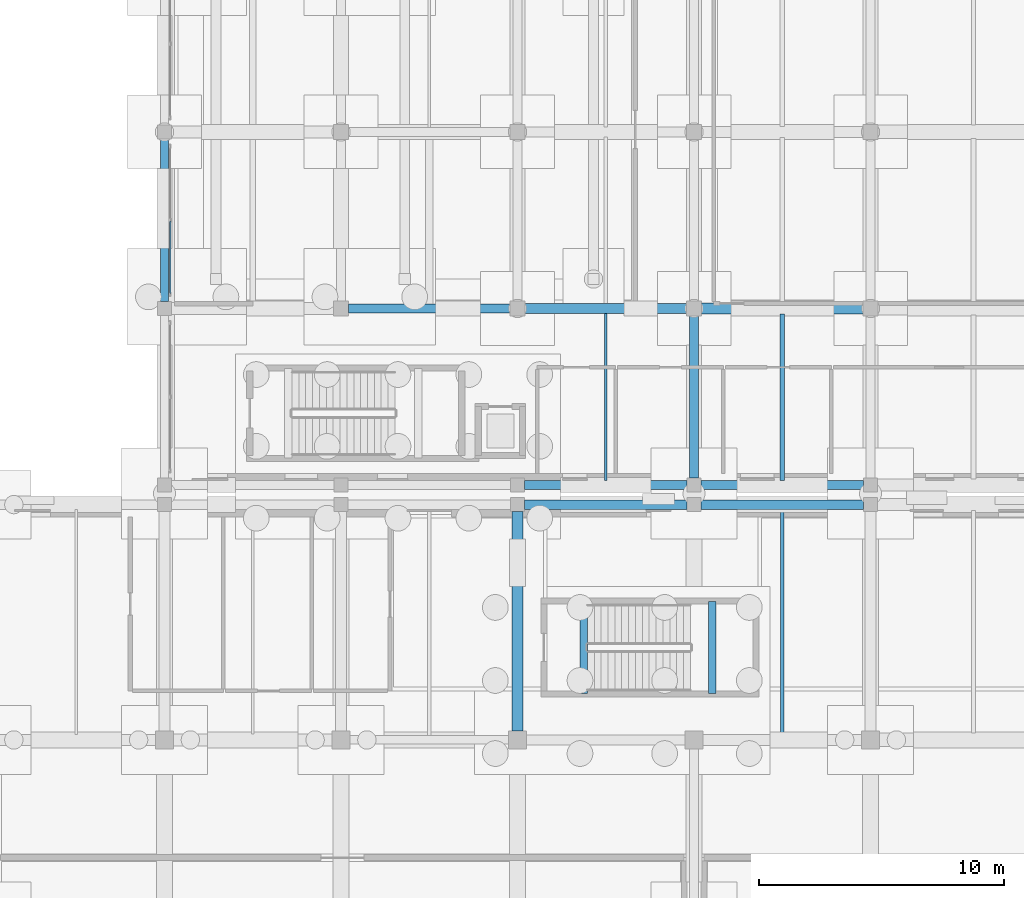
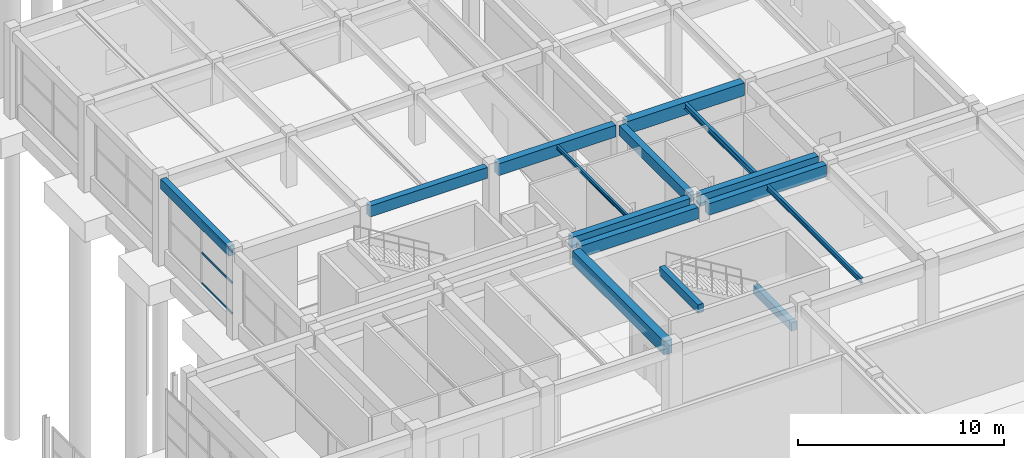
# One storey, part 49 of 91: 15 beams, 3 members, 1 element without a shape of its own.
"""IFC4 building model written with IfcOpenShell, lengths in metres."""

import ifcopenshell
import ifcopenshell.guid

model = None  # the IFC model being written
_history = None  # IfcOwnerHistory: only IFC2X3 demands one
_inside = {}  # id of a spatial element -> (the spatial element, [elements in it])
_under = {}  # id of a project, library or spatial element -> (it, [spatial elements below it])
_declared = {}  # id of a project -> (the project, [libraries it declares])
_typed = {}  # id of a type object -> (the type object, [elements of that type])
_made_of = {}  # id of a material, layer set ... -> (it, [elements and type objects made of it])


def new_model(schema):
    """Start an empty IFC model of exactly this schema.

    Asked for "IFC4X3", IfcOpenShell would pick the latest addendum, in which some entities
    have other attributes; the version numbers below select the first issue.
    IFC2X3 requires an IfcOwnerHistory on every rooted entity: one is made here for all.
    """
    global model, _history
    if schema == "IFC4X3":
        model = ifcopenshell.file(schema_version=(4, 3, 0, 0))
    else:
        model = ifcopenshell.file(schema=schema)
    _inside.clear()
    _under.clear()
    _declared.clear()
    _typed.clear()
    _made_of.clear()
    _history = None
    if model.schema == "IFC2X3":
        org = make("IfcOrganization", Name="unknown")
        user = make(
            "IfcPersonAndOrganization",
            ThePerson=make("IfcPerson", FamilyName="unknown"),
            TheOrganization=org,
        )
        app = make(
            "IfcApplication",
            ApplicationDeveloper=org,
            Version="unknown",
            ApplicationFullName="unknown",
            ApplicationIdentifier="unknown",
        )
        _history = make(
            "IfcOwnerHistory",
            OwningUser=user,
            OwningApplication=app,
            ChangeAction="ADDED",
            CreationDate=0,
        )
    return model


def make(cls, **values):
    """One entity of the class cls with the attributes given. An attribute that is None is left unset."""
    return model.create_entity(
        cls, **{name: value for name, value in values.items() if value is not None}
    )


def rooted(cls, **values):
    """An entity with a GlobalId (a new one), such as an element, a storey or a relation."""
    return make(cls, GlobalId=ifcopenshell.guid.new(), OwnerHistory=_history, **values)


def si_unit(unit_type, name, prefix=None):
    """IfcSIUnit, for example si_unit("LENGTHUNIT", "METRE", prefix="MILLI")."""
    return make("IfcSIUnit", UnitType=unit_type, Prefix=prefix, Name=name)


def assignment(units):
    """IfcUnitAssignment: the units of a project."""
    return None if units is None else make("IfcUnitAssignment", Units=units)


def point(xyz):
    """IfcCartesianPoint."""
    return None if xyz is None else make("IfcCartesianPoint", Coordinates=xyz)


def direction(xyz):
    """IfcDirection."""
    return None if xyz is None else make("IfcDirection", DirectionRatios=xyz)


def frame(location, z_axis=None, x_axis=None):
    """IfcAxis2Placement3D, a coordinate frame: its origin and axes. An axis left out is left unset."""
    return make(
        "IfcAxis2Placement3D",
        Location=point(location),
        Axis=direction(z_axis),
        RefDirection=direction(x_axis),
    )


def frame_2d(location, x_axis=None):
    """IfcAxis2Placement2D, a coordinate frame in the plane: its origin and x axis."""
    return make(
        "IfcAxis2Placement2D", Location=point(location), RefDirection=direction(x_axis)
    )


def origin():
    """The frame at (0, 0, 0) with its axes left unset."""
    return frame((0.0, 0.0, 0.0))


def origin_2d():
    """The frame at (0, 0) in the plane with its x axis left unset."""
    return frame_2d((0.0, 0.0))


def place(relative_to, where):
    """IfcLocalPlacement: puts the frame where relative to a parent placement (None: the world)."""
    return make(
        "IfcLocalPlacement", PlacementRelTo=relative_to, RelativePlacement=where
    )


def context(
    kind, dimensions, precision=None, world=None, true_north=None, identifier=None
):
    """IfcGeometricRepresentationContext, for example the 3D "Model" context."""
    return make(
        "IfcGeometricRepresentationContext",
        ContextIdentifier=identifier,
        ContextType=kind,
        CoordinateSpaceDimension=dimensions,
        Precision=precision,
        WorldCoordinateSystem=world,
        TrueNorth=true_north,
    )


def subcontext(parent, identifier, kind, view, scale=None):
    """IfcGeometricRepresentationSubContext, for example "Body" below "Model"."""
    return make(
        "IfcGeometricRepresentationSubContext",
        ContextIdentifier=identifier,
        ContextType=kind,
        ParentContext=parent,
        TargetScale=scale,
        TargetView=view,
    )


def project(units=None, contexts=None):
    """IfcProject with its units and contexts."""
    return rooted(
        "IfcProject",
        Name="project",
        RepresentationContexts=contexts,
        UnitsInContext=assignment(units),
    )


def spatial(cls, under=None, at=None, **own):
    """A site, building, storey or space (cls), placed at a placement, below another one or the project."""
    s = rooted(cls, ObjectPlacement=at, **own)
    if under is not None:
        _under.setdefault(under.id(), (under, []))[1].append(s)
    return s


def profile(cls, at=None, kind="AREA", **sizes):
    """A parametric profile (cls). Its sizes go by their IFC names, for example OverallWidth=200.0."""
    return make(cls, ProfileType=kind, Position=at, **sizes)


def rectangle(**sizes):
    """IfcRectangleProfileDef."""
    return profile("IfcRectangleProfileDef", **sizes)


def hollow_rectangle(**sizes):
    """IfcRectangleHollowProfileDef."""
    return profile("IfcRectangleHollowProfileDef", **sizes)


def i_section(**sizes):
    """IfcIShapeProfileDef."""
    return profile("IfcIShapeProfileDef", **sizes)


def extrude(swept, where, along, depth):
    """IfcExtrudedAreaSolid: the profile swept, set in the frame where, extruded along a direction by depth."""
    return make(
        "IfcExtrudedAreaSolid",
        SweptArea=swept,
        Position=where,
        ExtrudedDirection=direction(along),
        Depth=depth,
    )


def shape(context_of_items, identifier, shape_type, items):
    """IfcShapeRepresentation: the items that make up one representation, for example the "Body"."""
    return make(
        "IfcShapeRepresentation",
        ContextOfItems=context_of_items,
        RepresentationIdentifier=identifier,
        RepresentationType=shape_type,
        Items=items,
    )


def material(Name=None, Category=None):
    """IfcMaterial."""
    return make("IfcMaterial", Name=Name, Category=Category)


def material_profile(
    of_material, cross_section, Name=None, Category=None, Priority=None
):
    """IfcMaterialProfile: a cross section and its material."""
    return make(
        "IfcMaterialProfile",
        Name=Name,
        Material=of_material,
        Profile=cross_section,
        Priority=Priority,
        Category=Category,
    )


def profile_set(profiles, Name=None, composite=None):
    """IfcMaterialProfileSet."""
    return make(
        "IfcMaterialProfileSet",
        Name=Name,
        MaterialProfiles=profiles,
        CompositeProfile=composite,
    )


def made_of(thing, what):
    """Note that an element or type object is made of a material, layer set ...; save() writes the relation."""
    if what is not None:
        _made_of.setdefault(what.id(), (what, []))[1].append(thing)
    return thing


def type_object(cls, material=None, **own):
    """A type object (cls), such as IfcWallType, which elements share."""
    return made_of(rooted(cls, **own), material)


def element(
    cls,
    number,
    at=None,
    inside=None,
    cuts=None,
    type_object=None,
    material=None,
    context=None,
    identifier="Body",
    shape_type=None,
    held_by="IfcProductDefinitionShape",
    body=None,
    shapes=None,
    **own,
):
    """One element of the class cls, such as IfcWall. Its Tag is "e" and its number.

    at: its placement. inside: the storey or other place that contains it. cuts: it is an
    opening in that element (IfcRelVoidsElement). A single representation is given by context,
    identifier, shape_type and body (its items); several are given by shapes. held_by: the class
    of the entity that holds the representations. save() writes the other relations.
    """
    e = rooted(cls, Tag="e%d" % number, ObjectPlacement=at, **own)
    if body is not None:
        shapes = [shape(context, identifier, shape_type, body)]
    if shapes is not None:
        e.Representation = make(held_by, Representations=shapes)
    if inside is not None:
        _inside.setdefault(inside.id(), (inside, []))[1].append(e)
    if cuts is not None:
        rooted(
            "IfcRelVoidsElement", RelatingBuildingElement=cuts, RelatedOpeningElement=e
        )
    if type_object is not None:
        _typed.setdefault(type_object.id(), (type_object, []))[1].append(e)
    return made_of(e, material)


def aggregate(whole, parts):
    """IfcRelAggregates: a whole, such as a stair, and the parts it consists of."""
    return rooted("IfcRelAggregates", RelatingObject=whole, RelatedObjects=parts)


def save(model, path):
    """Write the relations noted so far, then the file.

    IfcRelAggregates (storeys below a building ...), IfcRelContainedInSpatialStructure (elements
    in a storey), IfcRelDefinesByType, IfcRelAssociatesMaterial and IfcRelDeclares: one each for
    every whole, place, type object, material and project.
    """
    for whole, parts in _under.values():
        aggregate(whole, parts)
    for where, things in _inside.values():
        rooted(
            "IfcRelContainedInSpatialStructure",
            RelatedElements=things,
            RelatingStructure=where,
        )
    for kind, things in _typed.values():
        rooted("IfcRelDefinesByType", RelatedObjects=things, RelatingType=kind)
    for what, things in _made_of.values():
        rooted("IfcRelAssociatesMaterial", RelatedObjects=things, RelatingMaterial=what)
    for by, libraries in _declared.values():
        rooted("IfcRelDeclares", RelatingContext=by, RelatedDefinitions=libraries)
    model.write(path)


model = new_model("IFC4")

# Units and contexts
model_context = context("Model", 3, precision=1e-05, world=origin(), true_north=direction((0.0, 1.0)))
body_context = subcontext(model_context, "Body", "Model", "MODEL_VIEW")
ifc_project = project(units=[si_unit("LENGTHUNIT", "METRE"), si_unit("AREAUNIT", "SQUARE_METRE"), si_unit("VOLUMEUNIT", "CUBIC_METRE"), si_unit("PLANEANGLEUNIT", "RADIAN"), si_unit("MASSUNIT", "GRAM", prefix="KILO")], contexts=[model_context])

# Site, building, storey
site_placement = place(None, origin())
site = spatial("IfcSite", under=ifc_project, at=site_placement, CompositionType="ELEMENT")
building_placement = place(site_placement, origin())
building = spatial("IfcBuilding", under=site, at=building_placement, Name="Bramveld Media Centre", CompositionType="ELEMENT")
storey_placement = place(building_placement, origin())
storey = spatial("IfcBuildingStorey", under=building, at=storey_placement, Name="L00", CompositionType="ELEMENT", Elevation=0.0)

# Beams
ifc_material_1 = material(Name="Concrete C40/50", Category="concrete")
ifc_material_profile_1 = material_profile(ifc_material_1, rectangle(XDim=0.300048828125, YDim=0.5, at=origin_2d()), Name="RC 300x500")
ifc_profile_set_1 = profile_set([ifc_material_profile_1], Name="Concrete C40/50")
beam_type_1 = type_object("IfcBeamType", Name="BM-INT-RC-300x500", PredefinedType="BEAM", material=ifc_profile_set_1)
for number, where, z_axis, x_axis, name in (
    (1, (148.300048828125, 30.699951171875, 5.14990234375), (0.0, 1.0, 0.0), (-1.0, 0.0, 0.0), "ST-03 L01 stairwell landing trimmer beam"),
    (2, (153.550048828125, 30.699951171875, 2.25), (0.0, 1.0, 0.0), (-1.0, 0.0, 0.0), "ST-03 L00 stairwell half-landing support beam"),
):
    element("IfcBeam", number, at=place(storey_placement, frame(where, z_axis=z_axis, x_axis=x_axis)), inside=storey, type_object=beam_type_1, Name=name, PredefinedType="BEAM", context=body_context, shape_type="SweptSolid", body=[
        extrude(rectangle(XDim=0.300048828125, YDim=0.5, at=origin_2d()), origin(), (0.0, 0.0, 1.0), 3.75),
    ])
ifc_material_2 = material(Name="Concrete C40/50", Category="concrete")
ifc_material_profile_2 = material_profile(ifc_material_2, rectangle(XDim=0.35009765625, YDim=0.60009765625, at=origin_2d()), Name="RC 350x600")
ifc_profile_set_2 = profile_set([ifc_material_profile_2], Name="Concrete C40/50")
beam_type_2 = type_object("IfcBeamType", Name="BM-INT-RC-350x600", PredefinedType="BEAM", material=ifc_profile_set_2)
beam_1_placement = place(storey_placement, frame((152.800048828125, 39.489990234375, 4.860107421875), z_axis=(0.0, 1.0, 0.0), x_axis=(-1.0, 0.0, 0.0)))
element("IfcBeam", 3, at=beam_1_placement, inside=storey, type_object=beam_type_2, Name="V4 L00 girder Y-487", PredefinedType="BEAM", context=body_context, shape_type="SweptSolid", body=[
    extrude(rectangle(XDim=0.35009765625, YDim=0.60009765625, at=origin_2d()), origin(), (0.0, 0.0, 1.0), 6.610107421875),
])
ifc_material_3 = material(Name="Concrete C40/50", Category="concrete")
ifc_material_profile_3 = material_profile(ifc_material_3, rectangle(XDim=0.35009765625, YDim=0.64990234375, at=origin_2d()), Name="RC 350x650")
ifc_profile_set_3 = profile_set([ifc_material_profile_3], Name="Concrete C40/50")
beam_type_3 = type_object("IfcBeamType", Name="BM-INT-RC-350x650", PredefinedType="BEAM", material=ifc_profile_set_3)
beam_2_placement = place(storey_placement, frame((138.699951171875, 46.39990234375, 4.8349609375), z_axis=(1.0, 0.0, 0.0), x_axis=(0.0, 1.0, 0.0)))
element("IfcBeam", 4, at=beam_2_placement, inside=storey, type_object=beam_type_3, Name="V4 L00 girder X-458", PredefinedType="BEAM", context=body_context, shape_type="SweptSolid", body=[
    extrude(rectangle(XDim=0.35009765625, YDim=0.64990234375, at=origin_2d()), origin(), (0.0, 0.0, 1.0), 6.60009765625),
])
ifc_material_4 = material(Name="Concrete C40/50", Category="concrete")
ifc_material_profile_4 = material_profile(ifc_material_4, rectangle(XDim=0.39990234375, YDim=0.699951171875, at=origin_2d()), Name="RC 400x700")
ifc_profile_set_4 = profile_set([ifc_material_profile_4], Name="Concrete C40/50")
beam_type_4 = type_object("IfcBeamType", Name="BM-INT-RC-400x700", PredefinedType="BEAM", material=ifc_profile_set_4)
beam_3_placement = place(storey_placement, frame((145.89990234375, 46.39990234375, 4.81005859375), z_axis=(1.0, 0.0, 0.0), x_axis=(0.0, 1.0, 0.0)))
element("IfcBeam", 5, at=beam_3_placement, inside=storey, type_object=beam_type_4, Name="V4 L00 girder X-459", PredefinedType="BEAM", context=body_context, shape_type="SweptSolid", body=[
    extrude(rectangle(XDim=0.39990234375, YDim=0.699951171875, at=origin_2d()), origin(), (0.0, 0.0, 1.0), 6.60009765625),
])
ifc_material_5 = material(Name="Concrete C40/50", Category="concrete")
ifc_material_profile_5 = material_profile(ifc_material_5, rectangle(XDim=0.449951171875, YDim=0.75, at=origin_2d()), Name="RC 450x750")
ifc_profile_set_5 = profile_set([ifc_material_profile_5], Name="Concrete C40/50")
beam_type_5 = type_object("IfcBeamType", Name="BM-INT-RC-450x750", PredefinedType="BEAM", material=ifc_profile_set_5)
beam_4_placement = place(storey_placement, frame((153.10009765625, 46.39990234375, 4.784912109375), z_axis=(1.0, 0.0, 0.0), x_axis=(0.0, 1.0, 0.0)))
element("IfcBeam", 6, at=beam_4_placement, inside=storey, type_object=beam_type_5, Name="V4 L00 girder X-460", PredefinedType="BEAM", context=body_context, shape_type="SweptSolid", body=[
    extrude(rectangle(XDim=0.449951171875, YDim=0.75, at=origin_2d()), origin(), (0.0, 0.0, 1.0), 6.599853515625),
])
ifc_material_6 = material(Name="Concrete C40/50", Category="concrete")
ifc_material_profile_6 = material_profile(ifc_material_6, rectangle(XDim=0.449951171875, YDim=0.800048828125, at=origin_2d()), Name="RC 450x800")
ifc_profile_set_6 = profile_set([ifc_material_profile_6], Name="Concrete C40/50")
beam_type_6 = type_object("IfcBeamType", Name="BM-INT-RC-450x800", PredefinedType="BEAM", material=ifc_profile_set_6)
beam_5_placement = place(storey_placement, frame((145.60009765625, 29.175048828125, 4.719970703125), z_axis=(0.0, 1.0, 0.0), x_axis=(-1.0, 0.0, 0.0)))
element("IfcBeam", 7, at=beam_5_placement, inside=storey, type_object=beam_type_6, Name="V1 L00 girder Y-24", PredefinedType="BEAM", context=body_context, shape_type="SweptSolid", body=[
    extrude(rectangle(XDim=0.449951171875, YDim=0.800048828125, at=origin_2d()), origin(), (0.0, 0.0, 1.0), 8.93505859375),
])

# Curtain wall, members
ifc_material_7 = material(Name="Thermally broken anodized bronze aluminium unitized curtain wall with solar-control triple glazing", Category="aluminium")
curtain_wall_type = type_object("IfcCurtainWallType", Name="CW-FACV4-6100x3690", PredefinedType="NOTDEFINED", material=ifc_material_7)
curtain_wall_placement = place(storey_placement, origin())
curtain_wall = element("IfcCurtainWall", 8, at=curtain_wall_placement, inside=storey, type_object=curtain_wall_type, Name="V4 L00 W curtain wall bay 2", PredefinedType="NOTDEFINED")
ifc_material_8 = material(Name="Thermally broken anodized bronze aluminium EN AW-6063 T6 curtain-wall framing", Category="aluminium")
ifc_material_profile_7 = material_profile(ifc_material_8, hollow_rectangle(XDim=0.06005859375, YDim=0.1201171875, WallThickness=0.00341796875, InnerFilletRadius=0.00341796875, OuterFilletRadius=0.007080078125, at=origin_2d()), Name="AL-TRAN 60x120")
ifc_profile_set_7 = profile_set([ifc_material_profile_7], Name="Thermally broken anodized bronze aluminium EN AW-6063 T6 curtain-wall framing")
member_type = type_object("IfcMemberType", Name="CW-TRAN-EXT", PredefinedType="USERDEFINED", material=ifc_profile_set_7)
member_1_placement = place(storey_placement, frame((131.429931640625, 47.010009765625, 0.8798828125), z_axis=(0.0, 1.0, 0.0), x_axis=(-1.0, 0.0, 0.0)))
member_1 = element("IfcMember", 9, at=member_1_placement, type_object=member_type, Name="CW-FA-6136 transom 1.1", ObjectType="TRANSOM", PredefinedType="USERDEFINED", context=body_context, shape_type="SweptSolid", body=[
    extrude(hollow_rectangle(XDim=0.06005859375, YDim=0.1201171875, WallThickness=0.00341796875, InnerFilletRadius=0.00341796875, OuterFilletRadius=0.007080078125, at=origin_2d()), origin(), (0.0, 0.0, 1.0), 2.9599609375),
])
member_2_placement = place(storey_placement, frame((131.429931640625, 47.010009765625, 2.695068359375), z_axis=(0.0, 1.0, 0.0), x_axis=(-1.0, 0.0, 0.0)))
member_2 = element("IfcMember", 10, at=member_2_placement, type_object=member_type, Name="CW-FA-6136 transom 1.2", ObjectType="TRANSOM", PredefinedType="USERDEFINED", context=body_context, shape_type="SweptSolid", body=[
    extrude(hollow_rectangle(XDim=0.06005859375, YDim=0.1201171875, WallThickness=0.00341796875, InnerFilletRadius=0.00341796875, OuterFilletRadius=0.007080078125, at=origin_2d()), origin(), (0.0, 0.0, 1.0), 2.9599609375),
])
member_3_placement = place(storey_placement, frame((131.429931640625, 47.010009765625, 4.510009765625), z_axis=(0.0, 1.0, 0.0), x_axis=(-1.0, 0.0, 0.0)))
member_3 = element("IfcMember", 11, at=member_3_placement, type_object=member_type, Name="CW-FA-6136 transom 1.3", ObjectType="TRANSOM", PredefinedType="USERDEFINED", context=body_context, shape_type="SweptSolid", body=[
    extrude(hollow_rectangle(XDim=0.06005859375, YDim=0.1201171875, WallThickness=0.00341796875, InnerFilletRadius=0.00341796875, OuterFilletRadius=0.007080078125, at=origin_2d()), origin(), (0.0, 0.0, 1.0), 2.9599609375),
])
aggregate(curtain_wall, [member_1, member_2, member_3])

# Beams
ifc_material_9 = material(Name="Steel S355J2", Category="steel")
ifc_material_profile_8 = material_profile(ifc_material_9, i_section(OverallWidth=0.1201171875, OverallDepth=0.239990234375, WebThickness=0.006103515625, FlangeThickness=0.009765625, FilletRadius=0.014892578125, at=origin_2d()), Name="IPE 240")
ifc_profile_set_8 = profile_set([ifc_material_profile_8], Name="Steel S355J2")
beam_type_7 = type_object("IfcBeamType", Name="SBM-INT-IPE-240", PredefinedType="JOIST", material=ifc_profile_set_8)
beam_6_placement = place(storey_placement, frame((149.199951171875, 39.389892578125, 5.0400390625), z_axis=(0.0, 1.0, 0.0), x_axis=(-1.0, 0.0, 0.0)))
element("IfcBeam", 12, at=beam_6_placement, inside=storey, type_object=beam_type_7, Name="V4 L00 secondary floor joist 505", PredefinedType="JOIST", context=body_context, shape_type="SweptSolid", body=[
    extrude(i_section(OverallWidth=0.1201171875, OverallDepth=0.239990234375, WebThickness=0.006103515625, FlangeThickness=0.009765625, FilletRadius=0.014892578125, at=origin_2d()), origin(), (0.0, 0.0, 1.0), 6.81005859375),
])
ifc_material_10 = material(Name="Steel S355J2", Category="steel")
ifc_material_profile_9 = material_profile(ifc_material_10, i_section(OverallWidth=0.14990234375, OverallDepth=0.300048828125, WebThickness=0.007080078125, FlangeThickness=0.0107421875, FilletRadius=0.014892578125, at=origin_2d()), Name="IPE 300")
ifc_profile_set_9 = profile_set([ifc_material_profile_9], Name="Steel S355J2")
beam_type_8 = type_object("IfcBeamType", Name="SBM-INT-IPE-300", PredefinedType="JOIST", material=ifc_profile_set_9)
beam_7_placement = place(storey_placement, frame((156.39990234375, 29.02490234375, 4.969970703125), z_axis=(0.0, 1.0, 0.0), x_axis=(-1.0, 0.0, 0.0)))
element("IfcBeam", 13, at=beam_7_placement, inside=storey, type_object=beam_type_8, Name="V1 L00 secondary floor joist 40", PredefinedType="JOIST", context=body_context, shape_type="SweptSolid", body=[
    extrude(i_section(OverallWidth=0.14990234375, OverallDepth=0.300048828125, WebThickness=0.007080078125, FlangeThickness=0.0107421875, FilletRadius=0.014892578125, at=origin_2d()), origin(), (0.0, 0.0, 1.0), 9.18505859375),
])
ifc_material_11 = material(Name="Steel S355J2", Category="steel")
ifc_material_profile_10 = material_profile(ifc_material_11, i_section(OverallWidth=0.169921875, OverallDepth=0.360107421875, WebThickness=0.008056640625, FlangeThickness=0.0126953125, FilletRadius=0.01806640625, at=origin_2d()), Name="IPE 360")
ifc_profile_set_10 = profile_set([ifc_material_profile_10], Name="Steel S355J2")
beam_type_9 = type_object("IfcBeamType", Name="SBM-INT-IPE-360", PredefinedType="JOIST", material=ifc_profile_set_10)
beam_8_placement = place(storey_placement, frame((156.39990234375, 39.389892578125, 4.97998046875), z_axis=(0.0, 1.0, 0.0), x_axis=(-1.0, 0.0, 0.0)))
element("IfcBeam", 14, at=beam_8_placement, inside=storey, type_object=beam_type_9, Name="V4 L00 secondary floor joist 509", PredefinedType="JOIST", context=body_context, shape_type="SweptSolid", body=[
    extrude(i_section(OverallWidth=0.169921875, OverallDepth=0.360107421875, WebThickness=0.008056640625, FlangeThickness=0.0126953125, FilletRadius=0.01806640625, at=origin_2d()), origin(), (0.0, 0.0, 1.0), 6.78515625),
])
ifc_material_12 = material(Name="Concrete C40/50", Category="concrete")
ifc_material_profile_11 = material_profile(ifc_material_12, rectangle(XDim=0.320068359375, YDim=0.580078125, at=origin_2d()), Name="RC 320x580")
ifc_profile_set_11 = profile_set([ifc_material_profile_11], Name="Concrete C40/50")
beam_type_10 = type_object("IfcBeamType", Name="SPANDREL-EXT-RC-320x580", PredefinedType="SPANDREL", material=ifc_profile_set_11)
beam_9_placement = place(storey_placement, frame((131.199951171875, 46.68994140625, 4.8701171875), z_axis=(0.0, 1.0, 0.0), x_axis=(-1.0, 0.0, 0.0)))
element("IfcBeam", 15, at=beam_9_placement, inside=storey, type_object=beam_type_10, Name="V4 L00 girder Y-478", PredefinedType="SPANDREL", context=body_context, shape_type="SweptSolid", body=[
    extrude(rectangle(XDim=0.320068359375, YDim=0.580078125, at=origin_2d()), origin(), (0.0, 0.0, 1.0), 6.6201171875),
])
ifc_material_13 = material(Name="Concrete C40/50", Category="concrete")
ifc_material_profile_12 = material_profile(ifc_material_13, rectangle(XDim=0.3798828125, YDim=0.679931640625, at=origin_2d()), Name="RC 380x680")
ifc_profile_set_12 = profile_set([ifc_material_profile_12], Name="Concrete C40/50")
beam_type_11 = type_object("IfcBeamType", Name="SPANDREL-EXT-RC-380x680", PredefinedType="SPANDREL", material=ifc_profile_set_12)
beam_10_placement = place(storey_placement, frame((145.889892578125, 38.39990234375, 4.780029296875), z_axis=(1.0, 0.0, 0.0), x_axis=(0.0, 1.0, 0.0)))
element("IfcBeam", 16, at=beam_10_placement, inside=storey, type_object=beam_type_11, Name="V1 L00 girder X-12", PredefinedType="SPANDREL", context=body_context, shape_type="SweptSolid", body=[
    extrude(rectangle(XDim=0.3798828125, YDim=0.679931640625, at=origin_2d()), origin(), (0.0, 0.0, 1.0), 6.6201171875),
])
beam_11_placement = place(storey_placement, frame((153.090087890625, 38.39990234375, 4.780029296875), z_axis=(1.0, 0.0, 0.0), x_axis=(0.0, 1.0, 0.0)))
element("IfcBeam", 17, at=beam_11_placement, inside=storey, type_object=beam_type_11, Name="V1 L00 girder X-13", PredefinedType="SPANDREL", context=body_context, shape_type="SweptSolid", body=[
    extrude(rectangle(XDim=0.3798828125, YDim=0.679931640625, at=origin_2d()), origin(), (0.0, 0.0, 1.0), 6.619873046875),
])
beam_12_placement = place(storey_placement, frame((145.889892578125, 39.199951171875, 4.820068359375), z_axis=(1.0, 0.0, 0.0), x_axis=(0.0, 1.0, 0.0)))
element("IfcBeam", 18, at=beam_12_placement, inside=storey, type_object=beam_type_11, Name="V4 L00 girder X-454", PredefinedType="SPANDREL", context=body_context, shape_type="SweptSolid", body=[
    extrude(rectangle(XDim=0.3798828125, YDim=0.679931640625, at=origin_2d()), origin(), (0.0, 0.0, 1.0), 6.6201171875),
])
beam_13_placement = place(storey_placement, frame((153.090087890625, 39.199951171875, 4.820068359375), z_axis=(1.0, 0.0, 0.0), x_axis=(0.0, 1.0, 0.0)))
element("IfcBeam", 19, at=beam_13_placement, inside=storey, type_object=beam_type_11, Name="V4 L00 girder X-455", PredefinedType="SPANDREL", context=body_context, shape_type="SweptSolid", body=[
    extrude(rectangle(XDim=0.3798828125, YDim=0.679931640625, at=origin_2d()), origin(), (0.0, 0.0, 1.0), 6.619873046875),
])

save(model, "model.ifc")
